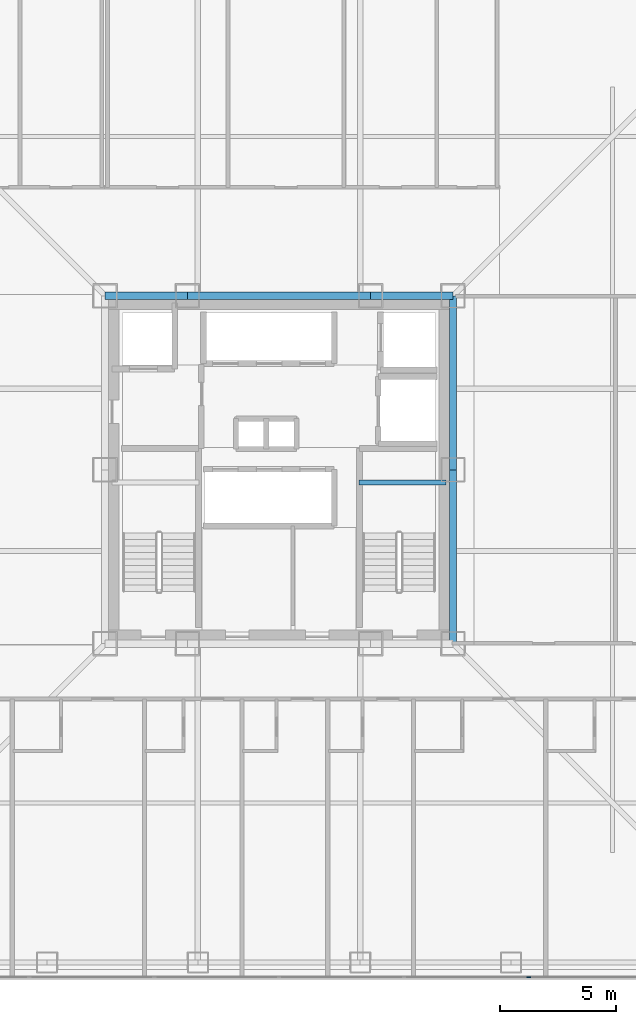
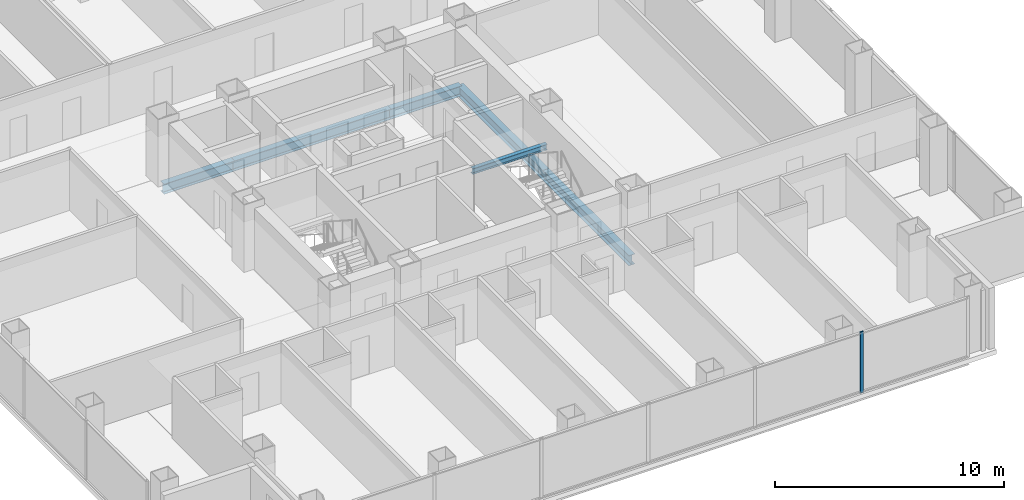
# One storey, part 6 of 18: 6 beams, 1 member, 1 element without a shape of its own.
"""IFC4 building model written with IfcOpenShell, lengths in metres."""

from ifc_helpers import new_model, si_unit, direction, frame, origin, origin_2d, place, context, subcontext, project, spatial, rectangle, i_section, extrude, material, layer, layer_set, material_profile, profile_set, type_object, element, aggregate, save


model = new_model("IFC4")

# Units and contexts
model_context = context("Model", 3, precision=1e-05, world=origin(), true_north=direction((0.0, 1.0)))
body_context = subcontext(model_context, "Body", "Model", "MODEL_VIEW")
ifc_project = project(units=[si_unit("LENGTHUNIT", "METRE"), si_unit("AREAUNIT", "SQUARE_METRE"), si_unit("VOLUMEUNIT", "CUBIC_METRE"), si_unit("PLANEANGLEUNIT", "RADIAN"), si_unit("MASSUNIT", "GRAM", prefix="KILO")], contexts=[model_context])

# Site, building, storey
site_placement = place(None, origin())
site = spatial("IfcSite", under=ifc_project, at=site_placement, CompositionType="ELEMENT")
building_placement = place(site_placement, origin())
building = spatial("IfcBuilding", under=site, at=building_placement, Name="Trevonay Congress Spire", CompositionType="ELEMENT")
storey_placement = place(building_placement, frame((0.0, 0.0, 151.60009765625)))
storey = spatial("IfcBuildingStorey", under=building, at=storey_placement, Name="L39", CompositionType="ELEMENT", Elevation=151.60009765625)

# Beams
ifc_material_1 = material(Name="Steel ASTM A572 Grade 50", Category="steel")
ifc_material_profile_1 = material_profile(ifc_material_1, i_section(OverallWidth=0.31201171875, OverallDepth=0.54296875, WebThickness=0.0126953125, FlangeThickness=0.020263671875, FilletRadius=0.014892578125, at=origin_2d()), Name="W530x150")
ifc_profile_set_1 = profile_set([ifc_material_profile_1], Name="Steel ASTM A572 Grade 50")
beam_type_1 = type_object("IfcBeamType", Name="BM-GIRD-W530X150", PredefinedType="BEAM", material=ifc_profile_set_1)
beam_1_placement = place(storey_placement, frame((-7.5, 7.5, -0.51171875), z_axis=(1.0, 0.0, 0.0), x_axis=(0.0, 1.0, 0.0)))
element("IfcBeam", 1, at=beam_1_placement, inside=storey, type_object=beam_type_1, Name="L39 structural beam BM-L39-CR-N1", PredefinedType="BEAM", context=body_context, shape_type="SweptSolid", body=[
    extrude(i_section(OverallWidth=0.31201171875, OverallDepth=0.54296875, WebThickness=0.0126953125, FlangeThickness=0.020263671875, FilletRadius=0.014892578125, at=origin_2d()), origin(), (0.0, 0.0, 1.0), 3.550048828125),
])
beam_2_placement = place(storey_placement, frame((-3.949951171875, 7.5, -0.51171875), z_axis=(1.0, 0.0, 0.0), x_axis=(0.0, 1.0, 0.0)))
element("IfcBeam", 2, at=beam_2_placement, inside=storey, type_object=beam_type_1, Name="L39 structural beam BM-L39-CR-N2", PredefinedType="BEAM", context=body_context, shape_type="SweptSolid", body=[
    extrude(i_section(OverallWidth=0.31201171875, OverallDepth=0.54296875, WebThickness=0.0126953125, FlangeThickness=0.020263671875, FilletRadius=0.014892578125, at=origin_2d()), origin(), (0.0, 0.0, 1.0), 7.89990234375),
])
beam_3_placement = place(storey_placement, frame((3.949951171875, 7.5, -0.51171875), z_axis=(1.0, 0.0, 0.0), x_axis=(0.0, 1.0, 0.0)))
element("IfcBeam", 3, at=beam_3_placement, inside=storey, type_object=beam_type_1, Name="L39 structural beam BM-L39-CR-N3", PredefinedType="BEAM", context=body_context, shape_type="SweptSolid", body=[
    extrude(i_section(OverallWidth=0.31201171875, OverallDepth=0.54296875, WebThickness=0.0126953125, FlangeThickness=0.020263671875, FilletRadius=0.014892578125, at=origin_2d()), origin(), (0.0, 0.0, 1.0), 3.550048828125),
])
for number, where, z_axis, x_axis, name in (
    (4, (7.5, -7.5, -0.51171875), (0.0, 1.0, 0.0), (-1.0, 0.0, 0.0), "L39 structural beam BM-L39-CR-E1"),
    (5, (7.5, 0.0, -0.51171875), (0.0, 1.0, 0.0), (-1.0, 0.0, 0.0), "L39 structural beam BM-L39-CR-E2"),
):
    element("IfcBeam", number, at=place(storey_placement, frame(where, z_axis=z_axis, x_axis=x_axis)), inside=storey, type_object=beam_type_1, Name=name, PredefinedType="BEAM", context=body_context, shape_type="SweptSolid", body=[
        extrude(i_section(OverallWidth=0.31201171875, OverallDepth=0.54296875, WebThickness=0.0126953125, FlangeThickness=0.020263671875, FilletRadius=0.014892578125, at=origin_2d()), origin(), (0.0, 0.0, 1.0), 7.5),
    ])

# Curtain wall, member
ifc_material_2 = material(Name="Pale Anodised Aluminium EN AW-6063-T6", Category="aluminium")
ifc_layer = layer(ifc_material_2, 0.175048828125, Name="Pale Anodised Aluminium EN AW-6063-T6")
ifc_layer_set = layer_set([ifc_layer], Name="Pale Anodised Aluminium EN AW-6063-T6")
curtain_wall_type = type_object("IfcCurtainWallType", Name="CW-SYS03-CONGRESS-PALE-METAL", PredefinedType="NOTDEFINED", material=ifc_layer_set)
curtain_wall_placement = place(storey_placement, origin())
curtain_wall = element("IfcCurtainWall", 6, at=curtain_wall_placement, inside=storey, type_object=curtain_wall_type, Name="L39 S unitised curtain wall", PredefinedType="NOTDEFINED")
ifc_material_profile_2 = material_profile(ifc_material_2, rectangle(XDim=0.06005859375, YDim=0.159912109375, at=origin_2d()), Name="CW-MULLION-160-ALUMINIUM")
ifc_profile_set_2 = profile_set([ifc_material_profile_2], Name="Pale Anodised Aluminium EN AW-6063-T6")
member_type = type_object("IfcMemberType", Name="CW-MULLION-160-ALUMINIUM", PredefinedType="MULLION", material=ifc_profile_set_2)
member_placement = place(storey_placement, frame((10.7666015625, -21.8798828125, 0.0), z_axis=(0.0, 0.0, 1.0), x_axis=(0.0, 1.0, 0.0)))
member = element("IfcMember", 7, at=member_placement, type_object=member_type, Name="CW03 mullion 6", PredefinedType="MULLION", context=body_context, shape_type="SweptSolid", body=[
    extrude(rectangle(XDim=0.06005859375, YDim=0.159912109375, at=origin_2d()), origin(), (0.0, 0.0, 1.0), 3.25),
])
aggregate(curtain_wall, [member])

# Beam
ifc_material_profile_3 = material_profile(ifc_material_1, i_section(OverallWidth=0.2041015625, OverallDepth=0.305908203125, WebThickness=0.008544921875, FlangeThickness=0.0146484375, FilletRadius=0.010986328125, at=origin_2d()), Name="W310x67")
ifc_profile_set_3 = profile_set([ifc_material_profile_3], Name="Steel ASTM A572 Grade 50")
beam_type_2 = type_object("IfcBeamType", Name="LN-CORE-W310X67", PredefinedType="LINTEL", material=ifc_profile_set_3)
beam_4_placement = place(storey_placement, frame((3.449951171875, -0.550048828125, 1.447021484375), z_axis=(1.0, 0.0, 0.0), x_axis=(0.0, 1.0, 0.0)))
element("IfcBeam", 8, at=beam_4_placement, inside=storey, type_object=beam_type_2, Name="L39 structural beam BM-L39-HL-ST2", PredefinedType="LINTEL", context=body_context, shape_type="SweptSolid", body=[
    extrude(i_section(OverallWidth=0.2041015625, OverallDepth=0.305908203125, WebThickness=0.008544921875, FlangeThickness=0.0146484375, FilletRadius=0.010986328125, at=origin_2d()), origin(), (0.0, 0.0, 1.0), 3.75),
])

save(model, "model.ifc")
